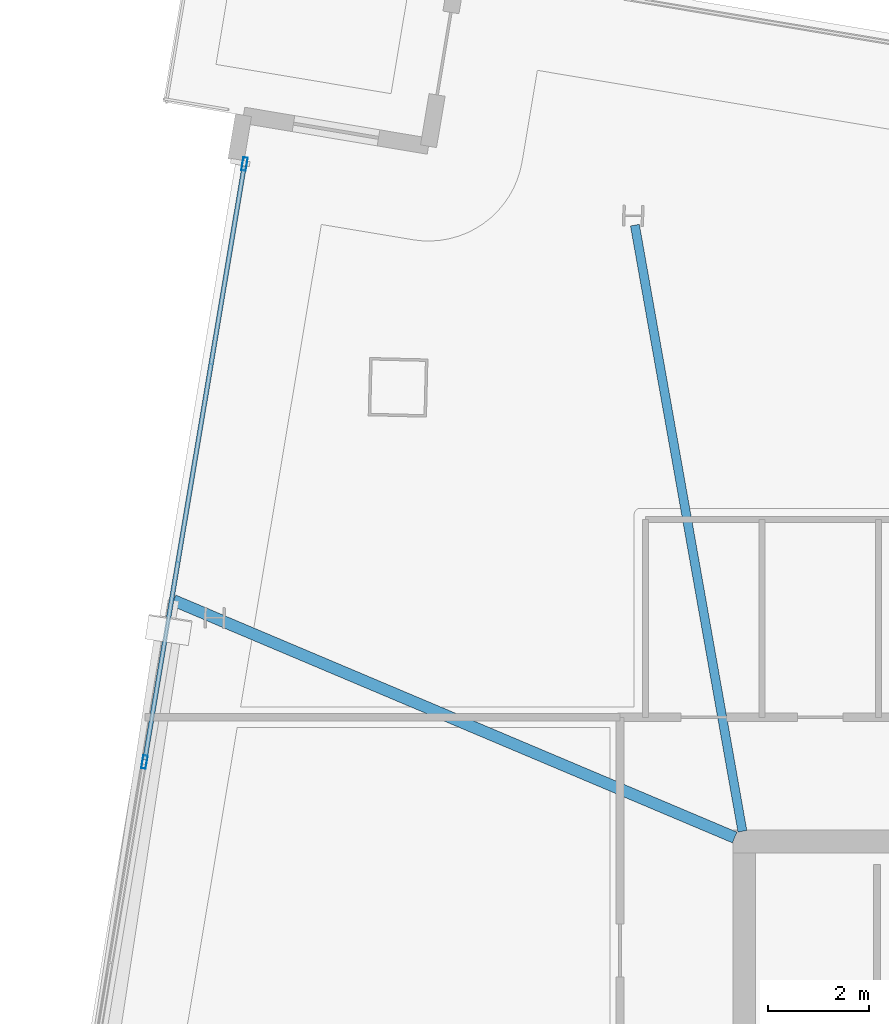
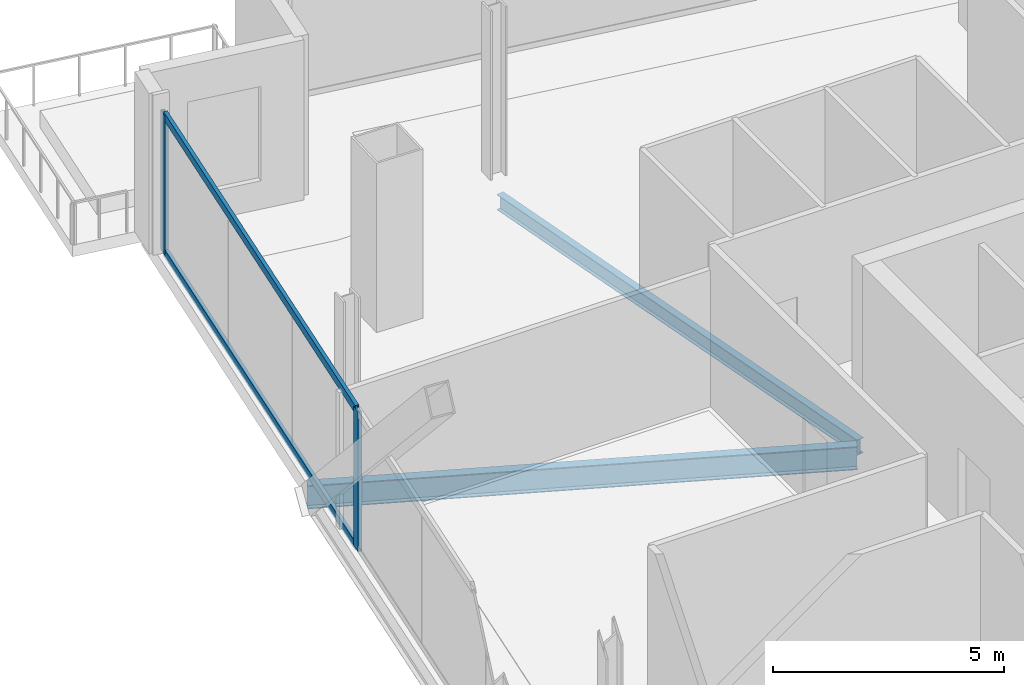
# One storey, part 8 of 18: 4 members, 2 beams, 1 element without a shape of its own.
"""IFC4 building model written with IfcOpenShell, lengths in metres."""

from ifc_helpers import new_model, si_unit, direction, frame, origin, origin_2d, place, context, subcontext, project, spatial, hollow_rectangle, i_section, extrude, material, material_profile, profile_set, type_object, element, aggregate, save


model = new_model("IFC4")

# Units and contexts
model_context = context("Model", 3, precision=1e-05, world=origin(), true_north=direction((0.0, 1.0)))
body_context = subcontext(model_context, "Body", "Model", "MODEL_VIEW")
ifc_project = project(units=[si_unit("LENGTHUNIT", "METRE"), si_unit("AREAUNIT", "SQUARE_METRE"), si_unit("VOLUMEUNIT", "CUBIC_METRE"), si_unit("PLANEANGLEUNIT", "RADIAN"), si_unit("MASSUNIT", "GRAM", prefix="KILO")], contexts=[model_context])

# Site, building, storey
site_placement = place(None, origin())
site = spatial("IfcSite", under=ifc_project, at=site_placement, CompositionType="ELEMENT")
building_placement = place(site_placement, origin())
building = spatial("IfcBuilding", under=site, at=building_placement, Name="Haldenkirk Collegiate Tower", CompositionType="ELEMENT")
storey_placement = place(building_placement, frame((0.0, 0.0, 298.199951171875)))
storey = spatial("IfcBuildingStorey", under=building, at=storey_placement, Name="L75", CompositionType="ELEMENT", Elevation=298.199951171875)

# Beams
ifc_material_1 = material(Name="Steel ASTM A992 Grade 50", Category="steel")
ifc_material_profile_1 = material_profile(ifc_material_1, i_section(OverallWidth=0.22998046875, OverallDepth=0.616943359375, WebThickness=0.01318359375, FlangeThickness=0.022216796875, at=origin_2d()), Name="W24X94")
ifc_profile_set_1 = profile_set([ifc_material_profile_1], Name="Steel ASTM A992 Grade 50")
beam_type_1 = type_object("IfcBeamType", Name="BM-GIRDER-W24X94", PredefinedType="BEAM", material=ifc_profile_set_1)
beam_1_placement = place(storey_placement, frame((15.747314453125, 38.75439453125, -0.70849609375), z_axis=(0.921156788066, -0.389191690302, 0.0), x_axis=(0.389191690302, 0.921156788066, 0.0)))
element("IfcBeam", 1, at=beam_1_placement, inside=storey, type_object=beam_type_1, Name="L75 primary floor girder 11", PredefinedType="BEAM", context=body_context, shape_type="SweptSolid", body=[
    extrude(i_section(OverallWidth=0.22998046875, OverallDepth=0.616943359375, WebThickness=0.01318359375, FlangeThickness=0.022216796875, at=origin_2d()), origin(), (0.0, 0.0, 1.0), 12.010986328125),
])
ifc_material_profile_2 = material_profile(ifc_material_1, i_section(OverallWidth=0.177978515625, OverallDepth=0.406005859375, WebThickness=0.0078125, FlangeThickness=0.0126953125, at=origin_2d()), Name="W16X40")
ifc_profile_set_2 = profile_set([ifc_material_profile_2], Name="Steel ASTM A992 Grade 50")
beam_type_2 = type_object("IfcBeamType", Name="BM-JOIST-W16X40", PredefinedType="JOIST", material=ifc_profile_set_2)
beam_2_placement = place(storey_placement, frame((24.843994140625, 46.154541015625, -0.60302734375), z_axis=(0.174650341591, -0.984630518612, 0.0), x_axis=(0.984630518612, 0.174650341591, 0.0)))
element("IfcBeam", 2, at=beam_2_placement, inside=storey, type_object=beam_type_2, Name="L75 composite floor joist 10", PredefinedType="JOIST", context=body_context, shape_type="SweptSolid", body=[
    extrude(i_section(OverallWidth=0.177978515625, OverallDepth=0.406005859375, WebThickness=0.0078125, FlangeThickness=0.0126953125, at=origin_2d()), origin(), (0.0, 0.0, 1.0), 12.13916015625),
])

# Curtain wall, members
ifc_material_2 = material(Name="Anodised architectural bronze aluminium", Category="aluminium")
curtain_wall_type = type_object("IfcCurtainWallType", Name="CW-SYS4-SKYGARDEN", PredefinedType="USERDEFINED", material=ifc_material_2)
curtain_wall_placement = place(storey_placement, origin())
curtain_wall = element("IfcCurtainWall", 3, at=curtain_wall_placement, inside=storey, type_object=curtain_wall_type, Name="L75 Sky-garden tall bronze curtain wall", ObjectType="UNITISED CURTAIN WALL", PredefinedType="USERDEFINED")
ifc_material_profile_3 = material_profile(ifc_material_2, hollow_rectangle(XDim=0.090087890625, YDim=0.260009765625, WallThickness=0.0048828125, at=origin_2d()), Name="CW-MUL-04")
ifc_profile_set_3 = profile_set([ifc_material_profile_3], Name="Anodised architectural bronze aluminium")
member_type_1 = type_object("IfcMemberType", Name="CW-MUL-04", PredefinedType="MULLION", material=ifc_profile_set_3)
member_1_placement = place(storey_placement, frame((15.173583984375, 35.568603515625, 0.0), z_axis=(0.0, 0.0, 1.0), x_axis=(-0.986285150019, 0.165050304006, 0.0)))
member_1 = element("IfcMember", 4, at=member_1_placement, type_object=member_type_1, Name="CW-04 mullion 3", PredefinedType="MULLION", context=body_context, shape_type="SweptSolid", body=[
    extrude(hollow_rectangle(XDim=0.090087890625, YDim=0.260009765625, WallThickness=0.0048828125, at=origin_2d()), origin(), (0.0, 0.0, 1.0), 3.697998046875),
])
member_2_placement = place(storey_placement, frame((17.146728515625, 47.359619140625, 0.0), z_axis=(0.0, 0.0, 1.0), x_axis=(-0.986285150019, 0.165050304006, 0.0)))
member_2 = element("IfcMember", 5, at=member_2_placement, type_object=member_type_1, Name="CW-04 mullion 4", PredefinedType="MULLION", context=body_context, shape_type="SweptSolid", body=[
    extrude(hollow_rectangle(XDim=0.090087890625, YDim=0.260009765625, WallThickness=0.0048828125, at=origin_2d()), origin(), (0.0, 0.0, 1.0), 3.697998046875),
])
ifc_material_profile_4 = material_profile(ifc_material_2, hollow_rectangle(XDim=0.090087890625, YDim=0.2099609375, WallThickness=0.0048828125, at=origin_2d()), Name="CW-TRN-04")
ifc_profile_set_4 = profile_set([ifc_material_profile_4], Name="Anodised architectural bronze aluminium")
member_type_2 = type_object("IfcMemberType", Name="CW-TRN-04", PredefinedType="USERDEFINED", material=ifc_profile_set_4)
member_3_placement = place(storey_placement, frame((15.180908203125, 35.613037109375, 0.045166015625), z_axis=(0.165066302172, 0.986282472665, 0.0), x_axis=(-0.986282472665, 0.165066302172, 0.0)))
member_3 = element("IfcMember", 6, at=member_3_placement, type_object=member_type_2, Name="CW-04 transom 3.1", ObjectType="TRANSOM", PredefinedType="USERDEFINED", context=body_context, shape_type="SweptSolid", body=[
    extrude(hollow_rectangle(XDim=0.090087890625, YDim=0.2099609375, WallThickness=0.0048828125, at=origin_2d()), origin(), (0.0, 0.0, 1.0), 11.864990234375),
])
member_4_placement = place(storey_placement, frame((15.180908203125, 35.613037109375, 3.653076171875), z_axis=(0.165066302172, 0.986282472665, 0.0), x_axis=(-0.986282472665, 0.165066302172, 0.0)))
member_4 = element("IfcMember", 7, at=member_4_placement, type_object=member_type_2, Name="CW-04 transom 3.2", ObjectType="TRANSOM", PredefinedType="USERDEFINED", context=body_context, shape_type="SweptSolid", body=[
    extrude(hollow_rectangle(XDim=0.090087890625, YDim=0.2099609375, WallThickness=0.0048828125, at=origin_2d()), origin(), (0.0, 0.0, 1.0), 11.864990234375),
])
aggregate(curtain_wall, [member_1, member_2, member_3, member_4])

save(model, "model.ifc")
